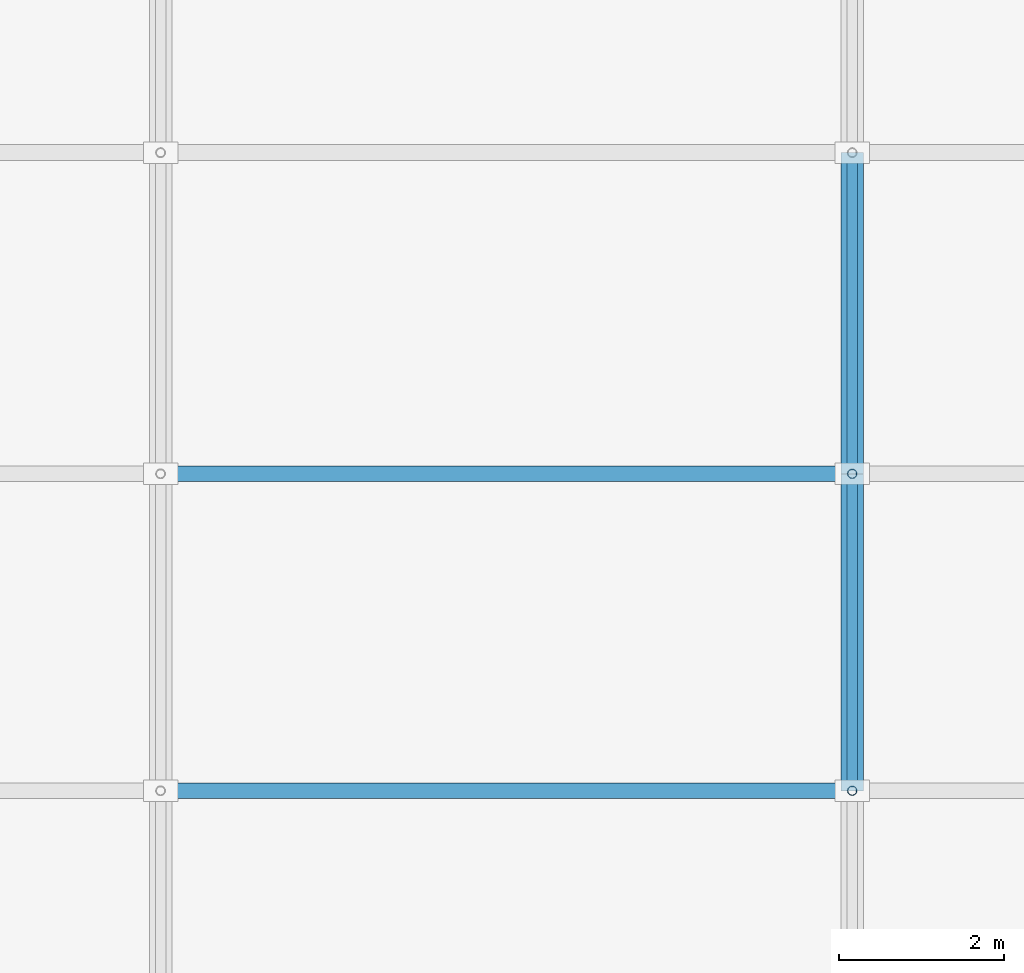
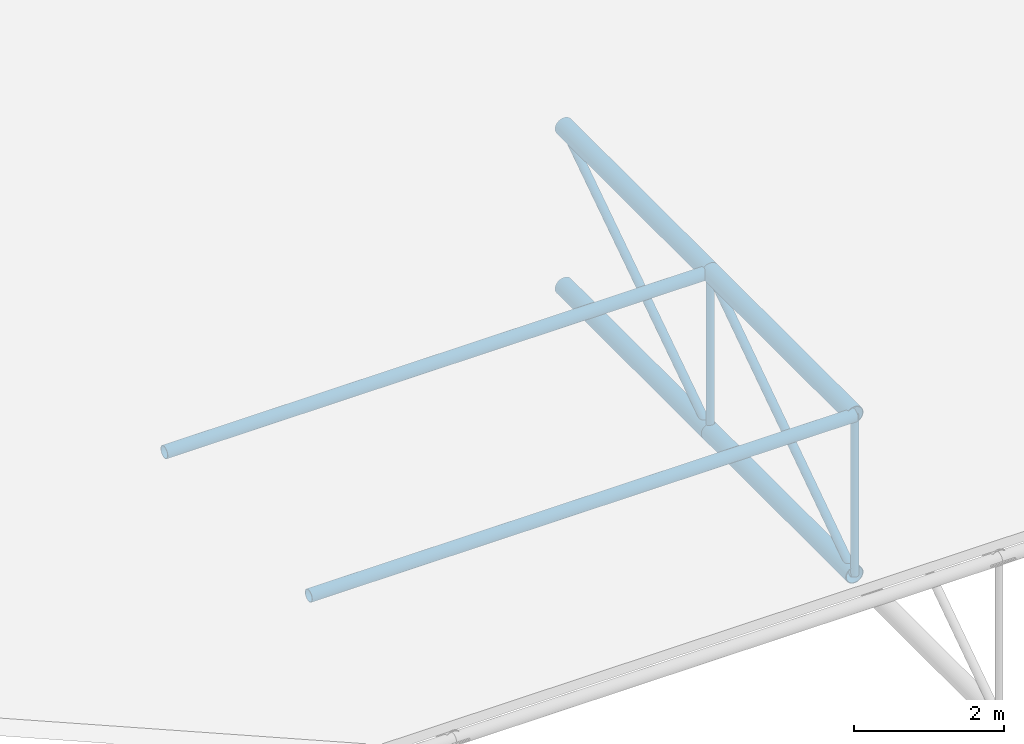
# One storey, part 26 of 140: 6 members, 4 beams.
"""IFC4 building model written with IfcOpenShell, lengths in metres."""

from ifc_helpers import new_model, si_unit, direction, frame, origin, origin_2d, place, context, subcontext, project, spatial, hollow_circle, extrude, material, material_profile, profile_set, type_object, element, save


model = new_model("IFC4")

# Units and contexts
model_context = context("Model", 3, precision=1e-05, world=origin(), true_north=direction((0.0, 1.0)))
body_context = subcontext(model_context, "Body", "Model", "MODEL_VIEW")
ifc_project = project(units=[si_unit("LENGTHUNIT", "METRE"), si_unit("AREAUNIT", "SQUARE_METRE"), si_unit("VOLUMEUNIT", "CUBIC_METRE"), si_unit("PLANEANGLEUNIT", "RADIAN"), si_unit("MASSUNIT", "GRAM", prefix="KILO")], contexts=[model_context])

# Site, building, storey
site_placement = place(None, origin())
site = spatial("IfcSite", under=ifc_project, at=site_placement, CompositionType="ELEMENT")
building_placement = place(site_placement, origin())
building = spatial("IfcBuilding", under=site, at=building_placement, Name="Varnapada Polytechnic", CompositionType="ELEMENT")
storey_placement = place(building_placement, frame((0.0, 0.0, 13.800048828125)))
storey = spatial("IfcBuildingStorey", under=building, at=storey_placement, Name="L03", CompositionType="ELEMENT", Elevation=13.800048828125)

# Members
ifc_material = material(Name="Steel S355", Category="steel")
ifc_material_profile_1 = material_profile(ifc_material, hollow_circle(Radius=0.096923828125, WallThickness=0.00634765625, at=origin_2d()), Name="CHS 193.7x6.3")
ifc_profile_set_1 = profile_set([ifc_material_profile_1], Name="Steel S355")
member_type_1 = type_object("IfcMemberType", Name="Canopy space frame longitudinal chord SFC-03 (CHS 193.7x6.3)", PredefinedType="CHORD", material=ifc_profile_set_1)
for number, where, z_axis, x_axis, name in (
    (1, (84.0, 12.89990234375, -1.35009765625), (1.0, 0.0, 0.0), (0.0, 1.0, 0.0), "Entrance canopy longitudinal chord 2.4"),
    (2, (84.0, 9.050048828125, -1.35009765625), (1.0, 0.0, 0.0), (0.0, 1.0, 0.0), "Entrance canopy longitudinal chord 2.5"),
):
    element("IfcMember", number, at=place(storey_placement, frame(where, z_axis=z_axis, x_axis=x_axis)), inside=storey, type_object=member_type_1, Name=name, PredefinedType="CHORD", context=body_context, shape_type="SweptSolid", body=[
        extrude(hollow_circle(Radius=0.096923828125, WallThickness=0.00634765625, at=origin_2d()), origin(), (0.0, 0.0, 1.0), 8.39990234375),
    ])
ifc_material_profile_2 = material_profile(ifc_material, hollow_circle(Radius=0.05712890625, WallThickness=0.0048828125, at=origin_2d()), Name="CHS 114.3x5.0")
ifc_profile_set_2 = profile_set([ifc_material_profile_2], Name="Steel S355")
member_type_2 = type_object("IfcMemberType", Name="Canopy space frame web strut SFS-02 (CHS 114.3x5.0)", PredefinedType="STRUT", material=ifc_profile_set_2)
for number, where, z_axis, x_axis, name in (
    (3, (92.39990234375, 12.89990234375, -3.949951171875), (0.0, 0.0, 1.0), (1.0, 0.0, 0.0), "Entrance canopy space frame post 3.4"),
    (4, (92.39990234375, 9.050048828125, -3.949951171875), (0.0, 0.0, 1.0), (1.0, 0.0, 0.0), "Entrance canopy space frame post 3.5"),
):
    element("IfcMember", number, at=place(storey_placement, frame(where, z_axis=z_axis, x_axis=x_axis)), inside=storey, type_object=member_type_2, Name=name, PredefinedType="STRUT", context=body_context, shape_type="SweptSolid", body=[
        extrude(hollow_circle(Radius=0.05712890625, WallThickness=0.0048828125, at=origin_2d()), origin(), (0.0, 0.0, 1.0), 2.599853515625),
    ])
ifc_material_profile_3 = material_profile(ifc_material, hollow_circle(Radius=0.0634765625, WallThickness=0.0048828125, at=origin_2d()), Name="CHS 127.0x5.0")
ifc_profile_set_3 = profile_set([ifc_material_profile_3], Name="Steel S355")
member_type_3 = type_object("IfcMemberType", Name="Canopy web diagonal SFB-04 (CHS 127.0x5.0)", PredefinedType="BRACE", material=ifc_profile_set_3)
member_1_placement = place(storey_placement, frame((92.39990234375, 16.800048828125, -1.35009765625), z_axis=(0.0, -0.832074333263, -0.554664136145), x_axis=(1.0, 0.0, 0.0)))
element("IfcMember", 5, at=member_1_placement, inside=storey, type_object=member_type_3, Name="Entrance canopy space frame web brace 3.3", PredefinedType="BRACE", context=body_context, shape_type="SweptSolid", body=[
    extrude(hollow_circle(Radius=0.0634765625, WallThickness=0.0048828125, at=origin_2d()), origin(), (0.0, 0.0, 1.0), 4.687255859375),
])
member_2_placement = place(storey_placement, frame((92.39990234375, 12.89990234375, -1.35009765625), z_axis=(0.0, -0.828728630838, -0.559650655704), x_axis=(1.0, 0.0, 0.0)))
element("IfcMember", 6, at=member_2_placement, inside=storey, type_object=member_type_3, Name="Entrance canopy space frame web brace 3.4", PredefinedType="BRACE", context=body_context, shape_type="SweptSolid", body=[
    extrude(hollow_circle(Radius=0.0634765625, WallThickness=0.0048828125, at=origin_2d()), origin(), (0.0, 0.0, 1.0), 4.6455078125),
])

# Beams
ifc_material_profile_4 = material_profile(ifc_material, hollow_circle(Radius=0.136474609375, WallThickness=0.010009765625, at=origin_2d()), Name="CHS 273.0x10.0")
ifc_profile_set_4 = profile_set([ifc_material_profile_4], Name="Steel S355")
beam_type = type_object("IfcBeamType", Name="Vaulted space frame canopy chord beam VA-03 (CHS 273.0x10.0)", PredefinedType="BEAM", material=ifc_profile_set_4)
for number, where, z_axis, x_axis, name in (
    (7, (92.39990234375, 16.800048828125, -3.949951171875), (0.0, -1.0, 0.0), (1.0, 0.0, 0.0), "Entrance canopy space frame bottom chord 3.3"),
    (8, (92.39990234375, 16.800048828125, -1.35009765625), (0.0, -1.0, 0.0), (1.0, 0.0, 0.0), "Entrance canopy space frame top chord 3.3"),
):
    element("IfcBeam", number, at=place(storey_placement, frame(where, z_axis=z_axis, x_axis=x_axis)), inside=storey, type_object=beam_type, Name=name, PredefinedType="BEAM", context=body_context, shape_type="SweptSolid", body=[
        extrude(hollow_circle(Radius=0.136474609375, WallThickness=0.010009765625, at=origin_2d()), origin(), (0.0, 0.0, 1.0), 3.900146484375),
    ])
for number, where, z_axis, x_axis, name in (
    (9, (92.39990234375, 12.89990234375, -3.949951171875), (0.0, -1.0, 0.0), (1.0, 0.0, 0.0), "Entrance canopy space frame bottom chord 3.4"),
    (10, (92.39990234375, 12.89990234375, -1.35009765625), (0.0, -1.0, 0.0), (1.0, 0.0, 0.0), "Entrance canopy space frame top chord 3.4"),
):
    element("IfcBeam", number, at=place(storey_placement, frame(where, z_axis=z_axis, x_axis=x_axis)), inside=storey, type_object=beam_type, Name=name, PredefinedType="BEAM", context=body_context, shape_type="SweptSolid", body=[
        extrude(hollow_circle(Radius=0.136474609375, WallThickness=0.010009765625, at=origin_2d()), origin(), (0.0, 0.0, 1.0), 3.849853515625),
    ])

save(model, "model.ifc")
